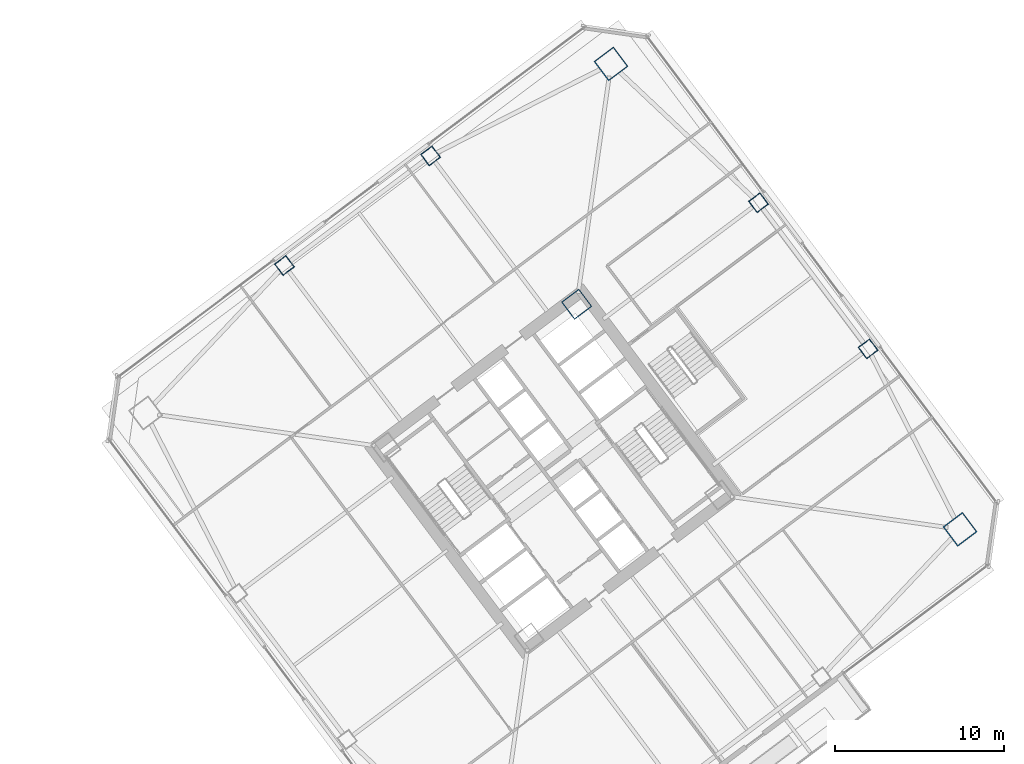
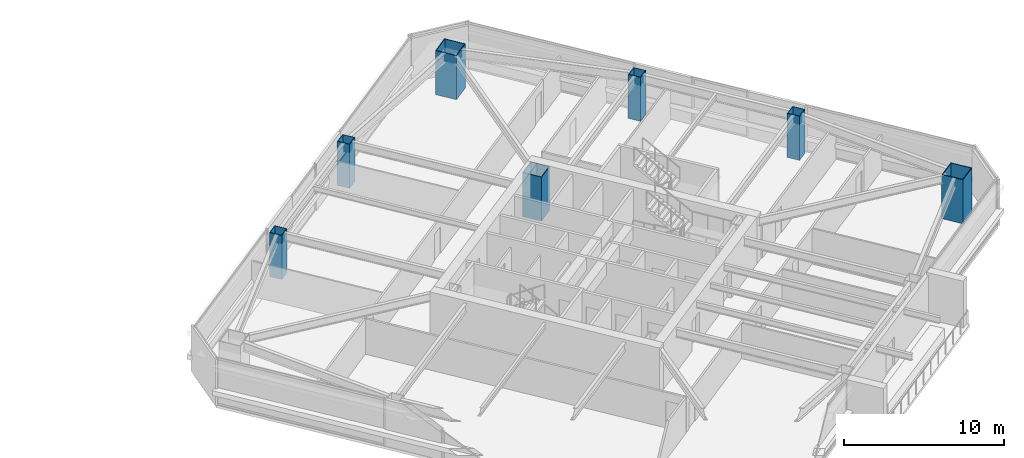
# One storey, part 2 of 46: 7 columns.
"""IFC4 building model written with IfcOpenShell, lengths in metres."""

from ifc_helpers import new_model, si_unit, direction, frame, origin, origin_2d, place, context, subcontext, project, spatial, hollow_rectangle, extrude, material, material_profile, profile_set, type_object, element, save


model = new_model("IFC4")

# Units and contexts
model_context = context("Model", 3, precision=1e-05, world=origin(), true_north=direction((0.0, 1.0)))
body_context = subcontext(model_context, "Body", "Model", "MODEL_VIEW")
ifc_project = project(units=[si_unit("LENGTHUNIT", "METRE"), si_unit("AREAUNIT", "SQUARE_METRE"), si_unit("VOLUMEUNIT", "CUBIC_METRE"), si_unit("PLANEANGLEUNIT", "RADIAN"), si_unit("MASSUNIT", "GRAM", prefix="KILO")], contexts=[model_context])

# Site, building, storey
site_placement = place(None, origin())
site = spatial("IfcSite", under=ifc_project, at=site_placement, CompositionType="ELEMENT")
building_placement = place(site_placement, origin())
building = spatial("IfcBuilding", under=site, at=building_placement, Name="Tashvorn Skyway Center", CompositionType="ELEMENT")
storey_placement = place(building_placement, frame((0.0, 0.0, 99.14990234375)))
storey = spatial("IfcBuildingStorey", under=building, at=storey_placement, Name="L26", CompositionType="ELEMENT", Elevation=99.14990234375)

# Columns
ifc_material = material(Name="Steel ASTM A572 Grade 50", Category="steel")
ifc_material_profile_1 = material_profile(ifc_material, hollow_rectangle(XDim=1.300048828125, YDim=1.300048828125, WallThickness=0.050048828125, at=origin_2d()), Name="BOX1300x1300x50")
ifc_profile_set_1 = profile_set([ifc_material_profile_1], Name="Steel ASTM A572 Grade 50")
column_type_1 = type_object("IfcColumnType", Name="COL-BOX1300x1300x50", PredefinedType="COLUMN", material=ifc_profile_set_1)
column_placement = place(storey_placement, frame((115.409912109375, 41.8701171875, 0.0), z_axis=(0.0, 0.0, 1.0), x_axis=(0.799999996291, 0.600000004945, 0.0)))
element("IfcColumn", 1, at=column_placement, inside=storey, type_object=column_type_1, Name="Tower 2 L26 Core Corner Column CC-NE", PredefinedType="COLUMN", context=body_context, shape_type="SweptSolid", body=[
    extrude(hollow_rectangle(XDim=1.300048828125, YDim=1.300048828125, WallThickness=0.050048828125, at=origin_2d()), origin(), (0.0, 0.0, 1.0), 3.35009765625),
])
ifc_material_profile_2 = material_profile(ifc_material, hollow_rectangle(XDim=1.449951171875, YDim=1.449951171875, WallThickness=0.054931640625, at=origin_2d()), Name="BOX1450x1450x55")
ifc_profile_set_2 = profile_set([ifc_material_profile_2], Name="Steel ASTM A572 Grade 50")
column_type_2 = type_object("IfcColumnType", Name="COL-BOX1450x1450x55", PredefinedType="COLUMN", material=ifc_profile_set_2)
for number, where, z_axis, x_axis, name in (
    (2, (138.080078125, 28.56005859375, 0.0), (0.0, 0.0, 1.0), (0.799999996291, 0.600000004945, 0.0), "Tower 2 L26 Mega-Column MC-SE"),
    (3, (117.43994140625, 56.080078125, 0.0), (0.0, 0.0, 1.0), (0.799999996291, 0.600000004945, 0.0), "Tower 2 L26 Mega-Column MC-NE"),
):
    element("IfcColumn", number, at=place(storey_placement, frame(where, z_axis=z_axis, x_axis=x_axis)), inside=storey, type_object=column_type_2, Name=name, PredefinedType="COLUMN", context=body_context, shape_type="SweptSolid", body=[
        extrude(hollow_rectangle(XDim=1.449951171875, YDim=1.449951171875, WallThickness=0.054931640625, at=origin_2d()), origin(), (0.0, 0.0, 1.0), 3.35009765625),
    ])
ifc_material_profile_3 = material_profile(ifc_material, hollow_rectangle(XDim=0.85009765625, YDim=0.85009765625, WallThickness=0.034912109375, at=origin_2d()), Name="BOX850x850x35")
ifc_profile_set_3 = profile_set([ifc_material_profile_3], Name="Steel ASTM A572 Grade 50")
column_type_3 = type_object("IfcColumnType", Name="COL-BOX850x850x35", PredefinedType="COLUMN", material=ifc_profile_set_3)
for number, where, z_axis, x_axis, name in (
    (4, (132.639892578125, 39.22998046875, 0.0), (0.0, 0.0, 1.0), (0.799999996291, 0.600000004945, 0.0), "Tower 2 L26 Perimeter Column FC-E1"),
    (5, (126.159912109375, 47.8701171875, 0.0), (0.0, 0.0, 1.0), (0.799999996291, 0.600000004945, 0.0), "Tower 2 L26 Perimeter Column FC-E2"),
    (6, (106.77001953125, 50.639892578125, 0.0), (0.0, 0.0, 1.0), (0.799999996291, 0.600000004945, 0.0), "Tower 2 L26 Perimeter Column FC-N1"),
    (7, (98.1298828125, 44.159912109375, 0.0), (0.0, 0.0, 1.0), (0.799999996291, 0.600000004945, 0.0), "Tower 2 L26 Perimeter Column FC-N2"),
):
    element("IfcColumn", number, at=place(storey_placement, frame(where, z_axis=z_axis, x_axis=x_axis)), inside=storey, type_object=column_type_3, Name=name, PredefinedType="COLUMN", context=body_context, shape_type="SweptSolid", body=[
        extrude(hollow_rectangle(XDim=0.85009765625, YDim=0.85009765625, WallThickness=0.034912109375, at=origin_2d()), origin(), (0.0, 0.0, 1.0), 3.35009765625),
    ])

save(model, "model.ifc")
